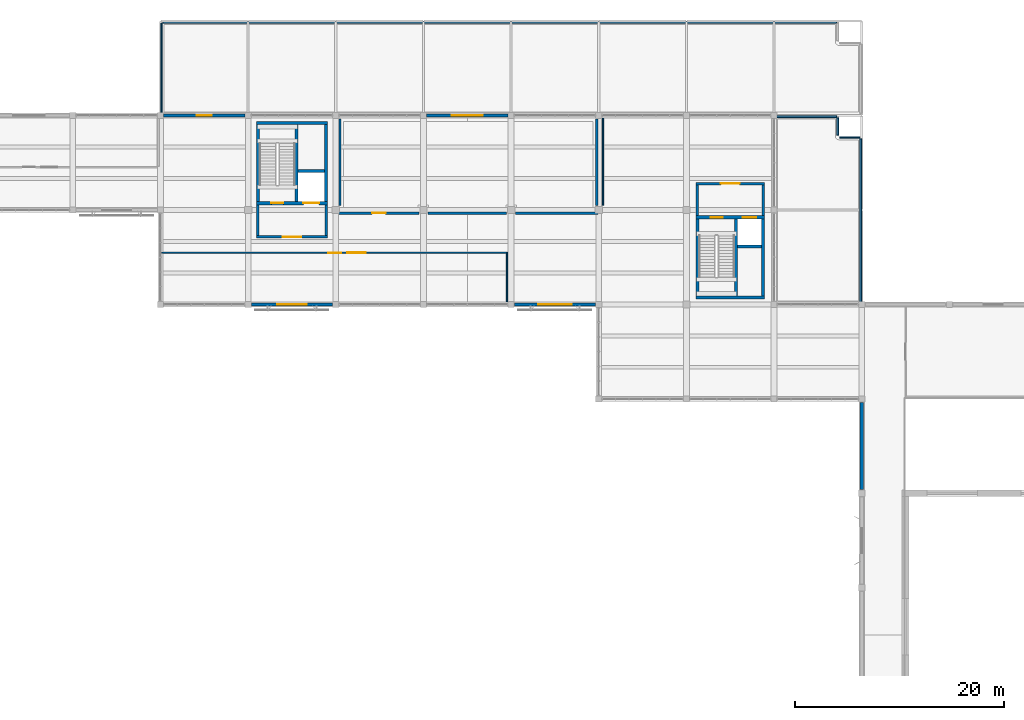
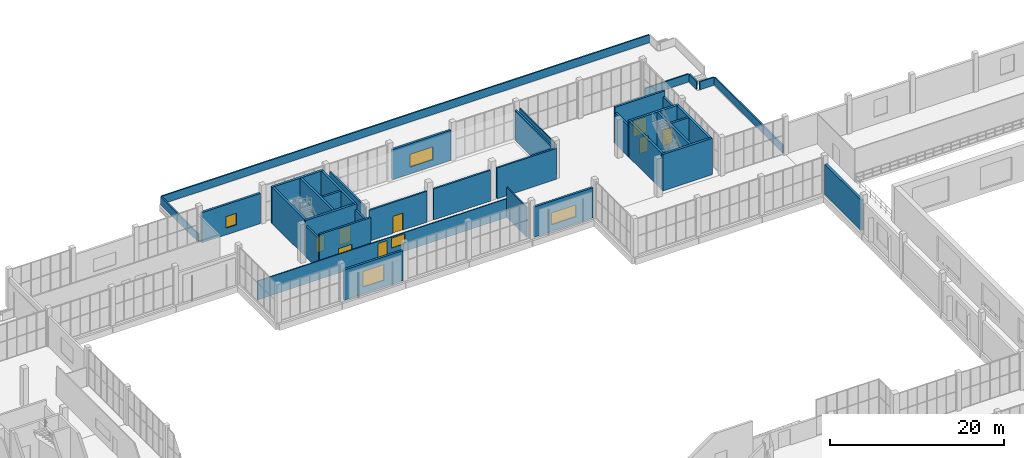
# One storey, part 116 of 132: 37 walls, 8 doors, 5 windows, 13 openings.
"""IFC4 building model written with IfcOpenShell, lengths in metres."""

from ifc_helpers import new_model, si_unit, direction, frame, frame_2d, origin, place, context, subcontext, project, spatial, rectangle, extrude, material, layer, layer_set, type_object, element, fill, save


model = new_model("IFC4")

# Units and contexts
model_context = context("Model", 3, precision=1e-05, world=origin(), true_north=direction((0.0, 1.0)))
body_context = subcontext(model_context, "Body", "Model", "MODEL_VIEW")
ifc_project = project(units=[si_unit("LENGTHUNIT", "METRE"), si_unit("AREAUNIT", "SQUARE_METRE"), si_unit("VOLUMEUNIT", "CUBIC_METRE"), si_unit("PLANEANGLEUNIT", "RADIAN"), si_unit("MASSUNIT", "GRAM", prefix="KILO")], contexts=[model_context])

# Site, building, storey
site_placement = place(None, origin())
site = spatial("IfcSite", under=ifc_project, at=site_placement, CompositionType="ELEMENT")
building_placement = place(site_placement, origin())
building = spatial("IfcBuilding", under=site, at=building_placement, Name="Khurvash Pelagic Aquarium", CompositionType="ELEMENT")
storey_placement = place(building_placement, frame((0.0, 0.0, 5.39990234375)))
storey = spatial("IfcBuildingStorey", under=building, at=storey_placement, Name="L01", CompositionType="ELEMENT", Elevation=5.39990234375)

# Wall, opening, window
ifc_material_1 = material(Name="Glass-fibre reinforced concrete C40/50", Category="concrete")
ifc_layer_1 = layer(ifc_material_1, 0.280029296875)
ifc_layer_set_1 = layer_set([ifc_layer_1], Name="Glass-fibre reinforced concrete C40/50")
wall_type_1 = type_object("IfcWallType", Name="EW-280", PredefinedType="STANDARD", material=ifc_layer_set_1)
wall_1_placement = place(storey_placement, frame((92.094970703125, 102.14990234375, 0.0), z_axis=(0.0, 0.0, 1.0), x_axis=(-1.0, 0.0, 0.0)))
wall_1 = element("IfcWall", 1, at=wall_1_placement, inside=storey, type_object=wall_type_1, Name="L01 Exterior Architectural Facade Wall EW-280 0044", PredefinedType="STANDARD", context=body_context, shape_type="SweptSolid", body=[
    extrude(rectangle(XDim=7.7900390625, YDim=0.280029296875, at=frame_2d((3.89501953125, 0.0))), origin(), (0.0, 0.0, 1.0), 4.22998046875),
])
opening_1_placement = place(wall_1_placement, frame((2.39501953125, 0.0, 0.9501953125)))
opening_1 = element("IfcOpeningElement", 2, at=opening_1_placement, cuts=wall_1, Name="Opening WN-06", PredefinedType="OPENING", context=body_context, shape_type="SweptSolid", body=[
    extrude(rectangle(XDim=3.0, YDim=1.800048828125, at=frame_2d((1.5, 0.89990234375))), frame((0.0, 0.14990234375, 0.0), z_axis=(0.0, -1.0, 0.0), x_axis=(1.0, 0.0, 0.0)), (0.0, 0.0, 1.0), 0.300048828125),
])
ifc_material_2 = material(Name="Thermally broken aluminium and low-E glass", Category="aluminium")
window_type_1 = type_object("IfcWindowType", Name="WN-06", PartitioningType="SINGLE_PANEL", PredefinedType="WINDOW", material=ifc_material_2)
window_1_placement = place(opening_1_placement, origin())
window_1 = element("IfcWindow", 3, at=window_1_placement, inside=storey, type_object=window_type_1, Name="L01 Facade Window WN-06 0024", OverallHeight=1.800048828125, OverallWidth=3.0, PartitioningType="SINGLE_PANEL", PredefinedType="WINDOW", context=body_context, shape_type="SweptSolid", body=[
    extrude(rectangle(XDim=3.0, YDim=1.800048828125, at=frame_2d((1.5, 0.89990234375))), frame((0.0, 0.030029296875, 0.0), z_axis=(0.0, -1.0, 0.0), x_axis=(1.0, 0.0, 0.0)), (0.0, 0.0, 1.0), 0.06005859375),
])
fill(opening_1, window_1)

wall_2_placement = place(storey_placement, frame((66.89501953125, 102.14990234375, 0.0), z_axis=(0.0, 0.0, 1.0), x_axis=(-1.0, 0.0, 0.0)))
wall_2 = element("IfcWall", 4, at=wall_2_placement, inside=storey, type_object=wall_type_1, Name="L01 Exterior Architectural Facade Wall EW-280 0045", PredefinedType="STANDARD", context=body_context, shape_type="SweptSolid", body=[
    extrude(rectangle(XDim=7.7900390625, YDim=0.280029296875, at=frame_2d((3.89501953125, 0.0))), origin(), (0.0, 0.0, 1.0), 4.22998046875),
])
opening_2_placement = place(wall_2_placement, frame((3.195068359375, 0.0, 0.9501953125)))
opening_2 = element("IfcOpeningElement", 5, at=opening_2_placement, cuts=wall_2, Name="Opening WN-10", PredefinedType="OPENING", context=body_context, shape_type="SweptSolid", body=[
    extrude(rectangle(XDim=1.39990234375, YDim=1.60009765625, at=frame_2d((0.699951171875, 0.800048828125))), frame((0.0, 0.14990234375, 0.0), z_axis=(0.0, -1.0, 0.0), x_axis=(1.0, 0.0, 0.0)), (0.0, 0.0, 1.0), 0.300048828125),
])
window_type_2 = type_object("IfcWindowType", Name="WN-10", PartitioningType="SINGLE_PANEL", PredefinedType="WINDOW", material=ifc_material_2)
window_2_placement = place(opening_2_placement, origin())
window_2 = element("IfcWindow", 6, at=window_2_placement, inside=storey, type_object=window_type_2, Name="L01 Facade Window WN-10 0025", OverallHeight=1.60009765625, OverallWidth=1.39990234375, PartitioningType="SINGLE_PANEL", PredefinedType="WINDOW", context=body_context, shape_type="SweptSolid", body=[
    extrude(rectangle(XDim=1.39990234375, YDim=1.60009765625, at=frame_2d((0.699951171875, 0.800048828125))), frame((0.0, 0.030029296875, 0.0), z_axis=(0.0, -1.0, 0.0), x_axis=(1.0, 0.0, 0.0)), (0.0, 0.0, 1.0), 0.06005859375),
])
fill(opening_2, window_2)

wall_3_placement = place(storey_placement, frame((67.5048828125, 84.050048828125, 0.0), z_axis=(0.0, 0.0, 1.0), x_axis=(1.0, 0.0, 0.0)))
wall_3 = element("IfcWall", 7, at=wall_3_placement, inside=storey, type_object=wall_type_1, Name="L01 Exterior Architectural Facade Wall EW-280 0054", PredefinedType="STANDARD", context=body_context, shape_type="SweptSolid", body=[
    extrude(rectangle(XDim=7.7900390625, YDim=0.280029296875, at=frame_2d((3.89501953125, 0.0))), origin(), (0.0, 0.0, 1.0), 4.22998046875),
])
opening_3_placement = place(wall_3_placement, frame((2.4951171875, 0.0, 0.9501953125)))
opening_3 = element("IfcOpeningElement", 8, at=opening_3_placement, cuts=wall_3, Name="Opening WN-14", PredefinedType="OPENING", context=body_context, shape_type="SweptSolid", body=[
    extrude(rectangle(XDim=2.800048828125, YDim=2.199951171875, at=frame_2d((1.39990234375, 1.10009765625))), frame((0.0, 0.14990234375, 0.0), z_axis=(0.0, -1.0, 0.0), x_axis=(1.0, 0.0, 0.0)), (0.0, 0.0, 1.0), 0.300048828125),
])
window_type_3 = type_object("IfcWindowType", Name="WN-14", PartitioningType="SINGLE_PANEL", PredefinedType="WINDOW", material=ifc_material_2)
window_3_placement = place(opening_3_placement, origin())
window_3 = element("IfcWindow", 9, at=window_3_placement, inside=storey, type_object=window_type_3, Name="L01 Facade Window WN-14 0034", OverallHeight=2.199951171875, OverallWidth=2.800048828125, PartitioningType="SINGLE_PANEL", PredefinedType="WINDOW", context=body_context, shape_type="SweptSolid", body=[
    extrude(rectangle(XDim=2.800048828125, YDim=2.199951171875, at=frame_2d((1.39990234375, 1.10009765625))), frame((0.0, 0.030029296875, 0.0), z_axis=(0.0, -1.0, 0.0), x_axis=(1.0, 0.0, 0.0)), (0.0, 0.0, 1.0), 0.06005859375),
])
fill(opening_3, window_3)

wall_4_placement = place(storey_placement, frame((92.705078125, 84.050048828125, 0.0), z_axis=(0.0, 0.0, 1.0), x_axis=(1.0, 0.0, 0.0)))
wall_4 = element("IfcWall", 10, at=wall_4_placement, inside=storey, type_object=wall_type_1, Name="L01 Exterior Architectural Facade Wall EW-280 0055", PredefinedType="STANDARD", context=body_context, shape_type="SweptSolid", body=[
    extrude(rectangle(XDim=7.7900390625, YDim=0.280029296875, at=frame_2d((3.89501953125, 0.0))), origin(), (0.0, 0.0, 1.0), 4.22998046875),
])
opening_4_placement = place(wall_4_placement, frame((2.294921875, 0.0, 0.9501953125)))
opening_4 = element("IfcOpeningElement", 11, at=opening_4_placement, cuts=wall_4, Name="Opening WN-18", PredefinedType="OPENING", context=body_context, shape_type="SweptSolid", body=[
    extrude(rectangle(XDim=3.199951171875, YDim=1.64990234375, at=frame_2d((1.60009765625, 0.824951171875))), frame((0.0, 0.14990234375, 0.0), z_axis=(0.0, -1.0, 0.0), x_axis=(1.0, 0.0, 0.0)), (0.0, 0.0, 1.0), 0.300048828125),
])
window_type_4 = type_object("IfcWindowType", Name="WN-18", PartitioningType="SINGLE_PANEL", PredefinedType="WINDOW", material=ifc_material_2)
window_4_placement = place(opening_4_placement, origin())
window_4 = element("IfcWindow", 12, at=window_4_placement, inside=storey, type_object=window_type_4, Name="L01 Facade Window WN-18 0035", OverallHeight=1.64990234375, OverallWidth=3.199951171875, PartitioningType="SINGLE_PANEL", PredefinedType="WINDOW", context=body_context, shape_type="SweptSolid", body=[
    extrude(rectangle(XDim=3.199951171875, YDim=1.64990234375, at=frame_2d((1.60009765625, 0.824951171875))), frame((0.0, 0.030029296875, 0.0), z_axis=(0.0, -1.0, 0.0), x_axis=(1.0, 0.0, 0.0)), (0.0, 0.0, 1.0), 0.06005859375),
])
fill(opening_4, window_4)

# Walls
ifc_material_3 = material(Name="Precast concrete C40/50", Category="concrete")
ifc_layer_2 = layer(ifc_material_3, 0.320068359375)
ifc_layer_set_2 = layer_set([ifc_layer_2], Name="Precast concrete C40/50")
wall_type_2 = type_object("IfcWallType", Name="EW-320", PredefinedType="STANDARD", material=ifc_layer_set_2)
wall_5_placement = place(storey_placement, frame((126.0, 74.639892578125, 0.0), z_axis=(0.0, 0.0, 1.0), x_axis=(0.0, -1.0, 0.0)))
element("IfcWall", 13, at=wall_5_placement, inside=storey, type_object=wall_type_2, Name="L01 Ocean Tank Hall West Courtyard Wall EW-320 B6", PredefinedType="STANDARD", context=body_context, shape_type="SweptSolid", body=[
    extrude(rectangle(XDim=8.329833984375, YDim=0.320068359375, at=frame_2d((4.1650390625, 0.0))), origin(), (0.0, 0.0, 1.0), 4.25),
])
ifc_layer_3 = layer(ifc_material_3, 0.179931640625)
ifc_layer_set_3 = layer_set([ifc_layer_3], Name="Precast concrete C40/50")
wall_type_3 = type_object("IfcWallType", Name="PP-180", PredefinedType="PARAPET", material=ifc_layer_set_3)
wall_6_placement = place(storey_placement, frame((58.89990234375, 102.35009765625, 0.0), z_axis=(0.0, 0.0, 1.0), x_axis=(0.0, 1.0, 0.0)))
element("IfcWall", 14, at=wall_6_placement, inside=storey, type_object=wall_type_3, Name="L01 Roof Perimeter Parapet Wall PP-180", PredefinedType="PARAPET", context=body_context, shape_type="SweptSolid", body=[
    extrude(rectangle(XDim=8.64990234375, YDim=0.179931640625, at=frame_2d((4.324951171875, 0.0))), origin(), (0.0, 0.0, 1.0), 1.1201171875),
])
wall_7_placement = place(storey_placement, frame((59.0, 111.10009765625, 0.0), z_axis=(0.0, 0.0, 1.0), x_axis=(1.0, 0.0, 0.0)))
element("IfcWall", 15, at=wall_7_placement, inside=storey, type_object=wall_type_3, Name="L01 Roof Perimeter Parapet Wall PP-180", PredefinedType="PARAPET", context=body_context, shape_type="SweptSolid", body=[
    extrude(rectangle(XDim=64.60009765625, YDim=0.179931640625, at=frame_2d((32.300048828125, 0.0))), origin(), (0.0, 0.0, 1.0), 1.1201171875),
])
wall_8_placement = place(storey_placement, frame((117.800048828125, 102.050048828125, 0.0), z_axis=(0.0, 0.0, 1.0), x_axis=(1.0, 0.0, 0.0)))
element("IfcWall", 16, at=wall_8_placement, inside=storey, type_object=wall_type_3, Name="L01 Roof Perimeter Parapet Wall PP-180", PredefinedType="PARAPET", context=body_context, shape_type="SweptSolid", body=[
    extrude(rectangle(XDim=5.800048828125, YDim=0.179931640625, at=frame_2d((2.89990234375, 0.0))), origin(), (0.0, 0.0, 1.0), 1.1201171875),
])
wall_9_placement = place(storey_placement, frame((123.699951171875, 101.949951171875, 0.0), z_axis=(0.0, 0.0, 1.0), x_axis=(0.0, -1.0, 0.0)))
element("IfcWall", 17, at=wall_9_placement, inside=storey, type_object=wall_type_3, Name="L01 Roof Perimeter Parapet Wall PP-180", PredefinedType="PARAPET", context=body_context, shape_type="SweptSolid", body=[
    extrude(rectangle(XDim=1.699951171875, YDim=0.179931640625, at=frame_2d((0.85009765625, 0.0))), origin(), (0.0, 0.0, 1.0), 1.1201171875),
])
wall_10_placement = place(storey_placement, frame((123.89990234375, 100.050048828125, 0.0), z_axis=(0.0, 0.0, 1.0), x_axis=(1.0, 0.0, 0.0)))
element("IfcWall", 18, at=wall_10_placement, inside=storey, type_object=wall_type_3, Name="L01 Roof Perimeter Parapet Wall PP-180", PredefinedType="PARAPET", context=body_context, shape_type="SweptSolid", body=[
    extrude(rectangle(XDim=1.900146484375, YDim=0.179931640625, at=frame_2d((0.9501953125, 0.0))), origin(), (0.0, 0.0, 1.0), 1.1201171875),
])
wall_11_placement = place(storey_placement, frame((125.89990234375, 99.949951171875, 0.0), z_axis=(0.0, 0.0, 1.0), x_axis=(0.0, -1.0, 0.0)))
element("IfcWall", 19, at=wall_11_placement, inside=storey, type_object=wall_type_3, Name="L01 Roof Perimeter Parapet Wall PP-180", PredefinedType="PARAPET", context=body_context, shape_type="SweptSolid", body=[
    extrude(rectangle(XDim=15.699951171875, YDim=0.179931640625, at=frame_2d((7.85009765625, 0.0))), origin(), (0.0, 0.0, 1.0), 1.1201171875),
])

# Wall, openings, door, window
ifc_material_4 = material(Name="Moisture-resistant gypsum and steel stud", Category="steel")
ifc_layer_4 = layer(ifc_material_4, 0.125)
ifc_layer_set_4 = layer_set([ifc_layer_4], Name="Moisture-resistant gypsum and steel stud")
wall_type_4 = type_object("IfcWallType", Name="PW-125", PredefinedType="PARTITIONING", material=ifc_layer_set_4)
wall_12_placement = place(storey_placement, frame((58.93798828125, 89.0, 0.0), z_axis=(0.0, 0.0, 1.0), x_axis=(1.0, 0.0, 0.0)))
wall_12 = element("IfcWall", 20, at=wall_12_placement, inside=storey, type_object=wall_type_4, Name="L01 Coral Propagation Quarantine Suite Partition Wall PW-125", PredefinedType="PARTITIONING", context=body_context, shape_type="SweptSolid", body=[
    extrude(rectangle(XDim=33.1240234375, YDim=0.125, at=frame_2d((16.56201171875, 0.0))), origin(), (0.0, 0.0, 1.0), 2.6220703125),
])
opening_5_placement = place(wall_12_placement, frame((15.9619140625, 0.0, 0.0)))
opening_5 = element("IfcOpeningElement", 21, at=opening_5_placement, cuts=wall_12, Name="Opening ID-41", PredefinedType="OPENING", context=body_context, shape_type="SweptSolid", body=[
    extrude(rectangle(XDim=1.199951171875, YDim=2.320068359375, at=frame_2d((0.60009765625, 1.16015625))), frame((0.0, 0.072509765625, 0.0), z_axis=(0.0, -1.0, 0.0), x_axis=(1.0, 0.0, 0.0)), (0.0, 0.0, 1.0), 0.14501953125),
])
opening_6_placement = place(wall_12_placement, frame((17.761962890625, 0.0, 1.050048828125)))
opening_6 = element("IfcOpeningElement", 22, at=opening_6_placement, cuts=wall_12, Name="Opening IW-14", PredefinedType="OPENING", context=body_context, shape_type="SweptSolid", body=[
    extrude(rectangle(XDim=1.75, YDim=1.3798828125, at=frame_2d((0.875, 0.68994140625))), frame((0.0, 0.072509765625, 0.0), z_axis=(0.0, -1.0, 0.0), x_axis=(1.0, 0.0, 0.0)), (0.0, 0.0, 1.0), 0.14501953125),
])
ifc_material_5 = material(Name="FRP coral lab door", Category="wood")
door_type_1 = type_object("IfcDoorType", Name="ID-41", OperationType="NOTDEFINED", PredefinedType="DOOR", material=ifc_material_5)
door_1_placement = place(opening_5_placement, frame((1.199951171875, 0.0, 0.0), z_axis=(0.0, 0.0, 1.0), x_axis=(-1.0, 0.0, 0.0)))
door_1 = element("IfcDoor", 23, at=door_1_placement, inside=storey, type_object=door_type_1, Name="DR-0124", OperationType="SINGLE_SWING_LEFT", OverallHeight=2.320068359375, OverallWidth=1.199951171875, PredefinedType="DOOR", context=body_context, shape_type="SweptSolid", body=[
    extrude(rectangle(XDim=1.199951171875, YDim=2.320068359375, at=frame_2d((0.60009765625, 1.16015625))), frame((0.0, 0.02490234375, 0.0), z_axis=(0.0, -1.0, 0.0), x_axis=(1.0, 0.0, 0.0)), (0.0, 0.0, 1.0), 0.050048828125),
])
fill(opening_5, door_1)
ifc_material_6 = material(Name="Acoustic laminated interior observation glazing", Category="glass")
window_type_5 = type_object("IfcWindowType", Name="IW-14", PartitioningType="SINGLE_PANEL", PredefinedType="WINDOW", material=ifc_material_6)
window_5_placement = place(opening_6_placement, origin())
window_5 = element("IfcWindow", 24, at=window_5_placement, inside=storey, type_object=window_type_5, Name="L01 Coral Propagation Quarantine Suite Observation Window IW-14", OverallHeight=1.3798828125, OverallWidth=1.75, PartitioningType="SINGLE_PANEL", PredefinedType="WINDOW", context=body_context, shape_type="SweptSolid", body=[
    extrude(rectangle(XDim=1.75, YDim=1.3798828125, at=frame_2d((0.875, 0.68994140625))), frame((0.0, 0.030029296875, 0.0), z_axis=(0.0, -1.0, 0.0), x_axis=(1.0, 0.0, 0.0)), (0.0, 0.0, 1.0), 0.06005859375),
])
fill(opening_6, window_5)

# Walls
wall_13_placement = place(storey_placement, frame((92.0, 84.31201171875, 0.0), z_axis=(0.0, 0.0, 1.0), x_axis=(0.0, 1.0, 0.0)))
element("IfcWall", 25, at=wall_13_placement, inside=storey, type_object=wall_type_4, Name="L01 Coral Propagation Quarantine Suite Partition Wall PW-125", PredefinedType="PARTITIONING", context=body_context, shape_type="SweptSolid", body=[
    extrude(rectangle(XDim=4.6259765625, YDim=0.125, at=frame_2d((2.31298828125, 0.0))), origin(), (0.0, 0.0, 1.0), 4.22998046875),
])
wall_14_placement = place(storey_placement, frame((101.199951171875, 93.5400390625, 0.0), z_axis=(0.0, 0.0, 1.0), x_axis=(0.0, 1.0, 0.0)))
element("IfcWall", 26, at=wall_14_placement, inside=storey, type_object=wall_type_4, Name="L01 Veterinary Treatment and Dive Locker Partition Wall PW-125", PredefinedType="PARTITIONING", context=body_context, shape_type="SweptSolid", body=[
    extrude(rectangle(XDim=8.347900390625, YDim=0.125, at=frame_2d((4.173828125, 0.0))), origin(), (0.0, 0.0, 1.0), 4.22998046875),
])

# Wall, opening, door
ifc_material_7 = material(Name="AAC blockwork", Category="masonry")
ifc_layer_5 = layer(ifc_material_7, 0.215087890625)
ifc_layer_set_5 = layer_set([ifc_layer_5], Name="AAC blockwork")
wall_type_5 = type_object("IfcWallType", Name="PW-215", PredefinedType="PARTITIONING", material=ifc_layer_set_5)
wall_15_placement = place(storey_placement, frame((75.89208984375, 92.800048828125, 0.0), z_axis=(0.0, 0.0, 1.0), x_axis=(1.0, 0.0, 0.0)))
wall_15 = element("IfcWall", 27, at=wall_15_placement, inside=storey, type_object=wall_type_5, Name="L01 Invertebrate Quarantine Suite Partition Wall PW-215", PredefinedType="PARTITIONING", context=body_context, shape_type="SweptSolid", body=[
    extrude(rectangle(XDim=7.66796875, YDim=0.215087890625, at=frame_2d((3.833984375, 0.0))), origin(), (0.0, 0.0, 1.0), 4.330078125),
])
opening_7_placement = place(wall_15_placement, frame((3.18408203125, 0.0, 0.0)))
opening_7 = element("IfcOpeningElement", 28, at=opening_7_placement, cuts=wall_15, Name="Opening ID-42", PredefinedType="OPENING", context=body_context, shape_type="SweptSolid", body=[
    extrude(rectangle(XDim=1.300048828125, YDim=2.3798828125, at=frame_2d((0.64990234375, 1.18994140625))), frame((0.0, 0.11767578125, 0.0), z_axis=(0.0, -1.0, 0.0), x_axis=(1.0, 0.0, 0.0)), (0.0, 0.0, 1.0), 0.235107421875),
])
ifc_material_8 = material(Name="FRP necropsy lab door", Category="wood")
door_type_2 = type_object("IfcDoorType", Name="ID-42", OperationType="NOTDEFINED", PredefinedType="DOOR", material=ifc_material_8)
door_2_placement = place(opening_7_placement, origin())
door_2 = element("IfcDoor", 29, at=door_2_placement, inside=storey, type_object=door_type_2, Name="DR-0125", OperationType="SINGLE_SWING_RIGHT", OverallHeight=2.3798828125, OverallWidth=1.300048828125, PredefinedType="DOOR", context=body_context, shape_type="SweptSolid", body=[
    extrude(rectangle(XDim=1.300048828125, YDim=2.3798828125, at=frame_2d((0.64990234375, 1.18994140625))), frame((0.0, 0.02490234375, 0.0), z_axis=(0.0, -1.0, 0.0), x_axis=(1.0, 0.0, 0.0)), (0.0, 0.0, 1.0), 0.050048828125),
])
fill(opening_7, door_2)

# Walls
wall_16_placement = place(storey_placement, frame((84.43994140625, 92.800048828125, 0.0), z_axis=(0.0, 0.0, 1.0), x_axis=(1.0, 0.0, 0.0)))
element("IfcWall", 30, at=wall_16_placement, inside=storey, type_object=wall_type_5, Name="L01 Invertebrate Quarantine Suite Partition Wall PW-215", PredefinedType="PARTITIONING", context=body_context, shape_type="SweptSolid", body=[
    extrude(rectangle(XDim=7.52001953125, YDim=0.215087890625, at=frame_2d((3.760009765625, 0.0))), origin(), (0.0, 0.0, 1.0), 4.330078125),
])
wall_17_placement = place(storey_placement, frame((92.840087890625, 92.800048828125, 0.0), z_axis=(0.0, 0.0, 1.0), x_axis=(1.0, 0.0, 0.0)))
element("IfcWall", 31, at=wall_17_placement, inside=storey, type_object=wall_type_5, Name="L01 Invertebrate Quarantine Suite Partition Wall PW-215", PredefinedType="PARTITIONING", context=body_context, shape_type="SweptSolid", body=[
    extrude(rectangle(XDim=7.866943359375, YDim=0.215087890625, at=frame_2d((3.93359375, 0.0))), origin(), (0.0, 0.0, 1.0), 4.330078125),
])
for number, where, z_axis, x_axis, name in (
    (32, (100.60009765625, 93.5400390625, 0.0), (0.0, 0.0, 1.0), (0.0, 1.0, 0.0), "L01 Invertebrate Quarantine Suite Partition Wall PW-215"),
    (33, (76.0, 93.5400390625, 0.0), (0.0, 0.0, 1.0), (0.0, 1.0, 0.0), "L01 Invertebrate Quarantine Suite Partition Wall PW-215"),
):
    element("IfcWall", number, at=place(storey_placement, frame(where, z_axis=z_axis, x_axis=x_axis)), inside=storey, type_object=wall_type_5, Name=name, PredefinedType="PARTITIONING", context=body_context, shape_type="SweptSolid", body=[
        extrude(rectangle(XDim=8.302978515625, YDim=0.215087890625, at=frame_2d((4.1513671875, 0.0))), origin(), (0.0, 0.0, 1.0), 4.22998046875),
    ])

# Wall, opening, door
ifc_layer_6 = layer(ifc_material_7, 0.25)
ifc_layer_set_6 = layer_set([ifc_layer_6], Name="AAC blockwork")
wall_type_6 = type_object("IfcWallType", Name="PW-250", PredefinedType="PARTITIONING", material=ifc_layer_set_6)
wall_18_placement = place(storey_placement, frame((68.0, 90.52490234375, 0.0), z_axis=(0.0, 0.0, 1.0), x_axis=(1.0, 0.0, 0.0)))
wall_18 = element("IfcWall", 34, at=wall_18_placement, inside=storey, type_object=wall_type_6, Name="L01 Core C4 Lobby Front Fire Wall PW-250", PredefinedType="PARTITIONING", context=body_context, shape_type="SweptSolid", body=[
    extrude(rectangle(XDim=6.800048828125, YDim=0.25, at=frame_2d((3.39990234375, 0.0))), origin(), (0.0, 0.0, 1.0), 5.10009765625),
])
opening_8_placement = place(wall_18_placement, frame((2.5, 0.0, 0.0)))
opening_8 = element("IfcOpeningElement", 35, at=opening_8_placement, cuts=wall_18, Name="Opening FD-02", PredefinedType="OPENING", context=body_context, shape_type="SweptSolid", body=[
    extrude(rectangle(XDim=1.800048828125, YDim=2.25, at=frame_2d((0.89990234375, 1.125))), frame((0.0, 0.135009765625, 0.0), z_axis=(0.0, -1.0, 0.0), x_axis=(1.0, 0.0, 0.0)), (0.0, 0.0, 1.0), 0.27001953125),
])
ifc_material_9 = material(Name="Galvanised steel double fire door", Category="steel")
door_type_3 = type_object("IfcDoorType", Name="FD-02", OperationType="DOUBLE_DOOR_SINGLE_SWING", PredefinedType="DOOR", material=ifc_material_9)
door_3_placement = place(opening_8_placement, frame((1.800048828125, 0.0, 0.0), z_axis=(0.0, 0.0, 1.0), x_axis=(-1.0, 0.0, 0.0)))
door_3 = element("IfcDoor", 36, at=door_3_placement, inside=storey, type_object=door_type_3, Name="DR-0129", OperationType="DOUBLE_DOOR_SINGLE_SWING", OverallHeight=2.25, OverallWidth=1.800048828125, PredefinedType="DOOR", context=body_context, shape_type="SweptSolid", body=[
    extrude(rectangle(XDim=1.800048828125, YDim=2.25, at=frame_2d((0.89990234375, 1.125))), frame((0.0, 0.02490234375, 0.0), z_axis=(0.0, -1.0, 0.0), x_axis=(1.0, 0.0, 0.0)), (0.0, 0.0, 1.0), 0.050048828125),
])
fill(opening_8, door_3)

# Walls
for number, where, z_axis, x_axis, name in (
    (37, (68.125, 90.64990234375, 0.0), (0.0, 0.0, 1.0), (0.0, 1.0, 0.0), "L01 Core C4 Lobby West Fire Wall PW-250"),
    (38, (74.675048828125, 90.64990234375, 0.0), (0.0, 0.0, 1.0), (0.0, 1.0, 0.0), "L01 Core C4 Lobby East Fire Wall PW-250"),
):
    element("IfcWall", number, at=place(storey_placement, frame(where, z_axis=z_axis, x_axis=x_axis)), inside=storey, type_object=wall_type_6, Name=name, PredefinedType="PARTITIONING", context=body_context, shape_type="SweptSolid", body=[
        extrude(rectangle(XDim=2.9501953125, YDim=0.25, at=frame_2d((1.47509765625, 0.0))), origin(), (0.0, 0.0, 1.0), 4.330078125),
    ])

# Wall, opening, door
wall_19_placement = place(storey_placement, frame((110.10009765625, 95.625, 0.0), z_axis=(0.0, 0.0, 1.0), x_axis=(1.0, 0.0, 0.0)))
wall_19 = element("IfcWall", 39, at=wall_19_placement, inside=storey, type_object=wall_type_6, Name="L01 Core C6 Lobby Front Fire Wall PW-250", PredefinedType="PARTITIONING", context=body_context, shape_type="SweptSolid", body=[
    extrude(rectangle(XDim=6.599853515625, YDim=0.25, at=frame_2d((3.2998046875, 0.0))), origin(), (0.0, 0.0, 1.0), 5.10009765625),
])
opening_9_placement = place(wall_19_placement, frame((2.39990234375, 0.0, 0.0)))
opening_9 = element("IfcOpeningElement", 40, at=opening_9_placement, cuts=wall_19, Name="Opening FD-02", PredefinedType="OPENING", context=body_context, shape_type="SweptSolid", body=[
    extrude(rectangle(XDim=1.800048828125, YDim=2.25, at=frame_2d((0.89990234375, 1.125))), frame((0.0, 0.135009765625, 0.0), z_axis=(0.0, -1.0, 0.0), x_axis=(1.0, 0.0, 0.0)), (0.0, 0.0, 1.0), 0.27001953125),
])
door_4_placement = place(opening_9_placement, origin())
door_4 = element("IfcDoor", 41, at=door_4_placement, inside=storey, type_object=door_type_3, Name="DR-0131", OperationType="DOUBLE_DOOR_SINGLE_SWING", OverallHeight=2.25, OverallWidth=1.800048828125, PredefinedType="DOOR", context=body_context, shape_type="SweptSolid", body=[
    extrude(rectangle(XDim=1.800048828125, YDim=2.25, at=frame_2d((0.89990234375, 1.125))), frame((0.0, 0.02490234375, 0.0), z_axis=(0.0, -1.0, 0.0), x_axis=(1.0, 0.0, 0.0)), (0.0, 0.0, 1.0), 0.050048828125),
])
fill(opening_9, door_4)

# Walls
for number, where, z_axis, x_axis, name in (
    (42, (110.22509765625, 92.550048828125, 0.0), (0.0, 0.0, 1.0), (0.0, 1.0, 0.0), "L01 Core C6 Lobby West Fire Wall PW-250"),
    (43, (116.574951171875, 92.550048828125, 0.0), (0.0, 0.0, 1.0), (0.0, 1.0, 0.0), "L01 Core C6 Lobby East Fire Wall PW-250"),
):
    element("IfcWall", number, at=place(storey_placement, frame(where, z_axis=z_axis, x_axis=x_axis)), inside=storey, type_object=wall_type_6, Name=name, PredefinedType="PARTITIONING", context=body_context, shape_type="SweptSolid", body=[
        extrude(rectangle(XDim=2.949951171875, YDim=0.25, at=frame_2d((1.47509765625, 0.0))), origin(), (0.0, 0.0, 1.0), 4.330078125),
    ])
ifc_material_10 = material(Name="Concrete C40/50", Category="concrete")
ifc_layer_7 = layer(ifc_material_10, 0.27490234375)
ifc_layer_set_7 = layer_set([ifc_layer_7], Name="Concrete C40/50")
wall_type_7 = type_object("IfcWallType", Name="SW-275", PredefinedType="SHEAR", material=ifc_layer_set_7)
wall_20_placement = place(storey_placement, frame((72.0, 96.837890625, 0.0), z_axis=(0.0, 0.0, 1.0), x_axis=(1.0, 0.0, 0.0)))
element("IfcWall", 44, at=wall_20_placement, inside=storey, type_object=wall_type_7, Name="L01 Lift GL-01 Shaft Rear Shear Wall SW-275", PredefinedType="SHEAR", context=body_context, shape_type="SweptSolid", body=[
    extrude(rectangle(XDim=2.5, YDim=0.27490234375, at=frame_2d((1.25, 0.0))), origin(), (0.0, 0.0, 1.0), 5.10009765625),
])
wall_21_placement = place(storey_placement, frame((114.10009765625, 89.612060546875, 0.0), z_axis=(0.0, 0.0, 1.0), x_axis=(1.0, 0.0, 0.0)))
element("IfcWall", 45, at=wall_21_placement, inside=storey, type_object=wall_type_7, Name="L01 Lift PL-03 Shaft Rear Shear Wall SW-275", PredefinedType="SHEAR", context=body_context, shape_type="SweptSolid", body=[
    extrude(rectangle(XDim=2.2998046875, YDim=0.27490234375, at=frame_2d((1.14990234375, 0.0))), origin(), (0.0, 0.0, 1.0), 5.10009765625),
])

# Wall, openings, doors
ifc_layer_8 = layer(ifc_material_10, 0.300048828125)
ifc_layer_set_8 = layer_set([ifc_layer_8], Name="Concrete C40/50")
wall_type_8 = type_object("IfcWallType", Name="SW-300", PredefinedType="SHEAR", material=ifc_layer_set_8)
wall_22_placement = place(storey_placement, frame((68.0, 93.75, 0.0), z_axis=(0.0, 0.0, 1.0), x_axis=(1.0, 0.0, 0.0)))
wall_22 = element("IfcWall", 46, at=wall_22_placement, inside=storey, type_object=wall_type_8, Name="L01 Core C4 South Shear Wall SW-300", PredefinedType="SHEAR", context=body_context, shape_type="SweptSolid", body=[
    extrude(rectangle(XDim=6.800048828125, YDim=0.300048828125, at=frame_2d((3.39990234375, 0.0))), origin(), (0.0, 0.0, 1.0), 5.10009765625),
])
opening_10_placement = place(wall_22_placement, frame((1.425048828125, 0.0, 0.0)))
opening_10 = element("IfcOpeningElement", 47, at=opening_10_placement, cuts=wall_22, Name="Opening FD-01", PredefinedType="OPENING", context=body_context, shape_type="SweptSolid", body=[
    extrude(rectangle(XDim=1.14990234375, YDim=2.199951171875, at=frame_2d((0.574951171875, 1.10009765625))), frame((0.0, 0.16015625, 0.0), z_axis=(0.0, -1.0, 0.0), x_axis=(1.0, 0.0, 0.0)), (0.0, 0.0, 1.0), 0.320068359375),
])
opening_11_placement = place(wall_22_placement, frame((4.5, 0.0, 0.0)))
opening_11 = element("IfcOpeningElement", 48, at=opening_11_placement, cuts=wall_22, Name="Opening LD-03", PredefinedType="OPENING", context=body_context, shape_type="SweptSolid", body=[
    extrude(rectangle(XDim=1.5, YDim=2.300048828125, at=frame_2d((0.75, 1.14990234375))), frame((0.0, 0.16015625, 0.0), z_axis=(0.0, -1.0, 0.0), x_axis=(1.0, 0.0, 0.0)), (0.0, 0.0, 1.0), 0.320068359375),
])
ifc_material_11 = material(Name="Galvanised steel fire door", Category="steel")
door_type_4 = type_object("IfcDoorType", Name="FD-01", OperationType="NOTDEFINED", PredefinedType="DOOR", material=ifc_material_11)
door_5_placement = place(opening_10_placement, origin())
door_5 = element("IfcDoor", 49, at=door_5_placement, inside=storey, type_object=door_type_4, Name="DR-0093", OperationType="SINGLE_SWING_LEFT", OverallHeight=2.199951171875, OverallWidth=1.14990234375, PredefinedType="DOOR", context=body_context, shape_type="SweptSolid", body=[
    extrude(rectangle(XDim=1.14990234375, YDim=2.199951171875, at=frame_2d((0.574951171875, 1.10009765625))), frame((0.0, 0.02490234375, 0.0), z_axis=(0.0, -1.0, 0.0), x_axis=(1.0, 0.0, 0.0)), (0.0, 0.0, 1.0), 0.050048828125),
])
fill(opening_10, door_5)
ifc_material_12 = material(Name="Brushed stainless steel 316 goods lift landing door", Category="steel")
door_type_5 = type_object("IfcDoorType", Name="LD-03", OperationType="DOUBLE_DOOR_SLIDING", PredefinedType="DOOR", material=ifc_material_12)
door_6_placement = place(opening_11_placement, origin())
door_6 = element("IfcDoor", 50, at=door_6_placement, inside=storey, type_object=door_type_5, Name="DR-0099", OperationType="DOUBLE_DOOR_SLIDING", OverallHeight=2.300048828125, OverallWidth=1.5, PredefinedType="DOOR", context=body_context, shape_type="SweptSolid", body=[
    extrude(rectangle(XDim=1.5, YDim=2.300048828125, at=frame_2d((0.75, 1.14990234375))), frame((0.0, 0.02490234375, 0.0), z_axis=(0.0, -1.0, 0.0), x_axis=(1.0, 0.0, 0.0)), (0.0, 0.0, 1.0), 0.050048828125),
])
fill(opening_11, door_6)

# Walls
wall_23_placement = place(storey_placement, frame((68.0, 101.449951171875, 0.0), z_axis=(0.0, 0.0, 1.0), x_axis=(1.0, 0.0, 0.0)))
element("IfcWall", 51, at=wall_23_placement, inside=storey, type_object=wall_type_8, Name="L01 Core C4 North Shear Wall SW-300", PredefinedType="SHEAR", context=body_context, shape_type="SweptSolid", body=[
    extrude(rectangle(XDim=6.800048828125, YDim=0.300048828125, at=frame_2d((3.39990234375, 0.0))), origin(), (0.0, 0.0, 1.0), 5.10009765625),
])
for number, where, z_axis, x_axis, name in (
    (52, (68.14990234375, 93.89990234375, 0.0), (0.0, 0.0, 1.0), (0.0, 1.0, 0.0), "L01 Core C4 West Shear Wall SW-300"),
    (53, (74.64990234375, 93.89990234375, 0.0), (0.0, 0.0, 1.0), (0.0, 1.0, 0.0), "L01 Core C4 East Shear Wall SW-300"),
    (54, (71.85009765625, 93.89990234375, 0.0), (0.0, 0.0, 1.0), (0.0, 1.0, 0.0), "L01 Core C4 Divider Shear Wall SW-300"),
):
    element("IfcWall", number, at=place(storey_placement, frame(where, z_axis=z_axis, x_axis=x_axis)), inside=storey, type_object=wall_type_8, Name=name, PredefinedType="SHEAR", context=body_context, shape_type="SweptSolid", body=[
        extrude(rectangle(XDim=7.400146484375, YDim=0.300048828125, at=frame_2d((3.7001953125, 0.0))), origin(), (0.0, 0.0, 1.0), 5.10009765625),
    ])
wall_24_placement = place(storey_placement, frame((110.10009765625, 84.699951171875, 0.0), z_axis=(0.0, 0.0, 1.0), x_axis=(1.0, 0.0, 0.0)))
element("IfcWall", 55, at=wall_24_placement, inside=storey, type_object=wall_type_8, Name="L01 Core C6 South Shear Wall SW-300", PredefinedType="SHEAR", context=body_context, shape_type="SweptSolid", body=[
    extrude(rectangle(XDim=6.599853515625, YDim=0.300048828125, at=frame_2d((3.2998046875, 0.0))), origin(), (0.0, 0.0, 1.0), 5.10009765625),
])

# Wall, openings, doors
wall_25_placement = place(storey_placement, frame((110.10009765625, 92.39990234375, 0.0), z_axis=(0.0, 0.0, 1.0), x_axis=(1.0, 0.0, 0.0)))
wall_25 = element("IfcWall", 56, at=wall_25_placement, inside=storey, type_object=wall_type_8, Name="L01 Core C6 North Shear Wall SW-300", PredefinedType="SHEAR", context=body_context, shape_type="SweptSolid", body=[
    extrude(rectangle(XDim=6.599853515625, YDim=0.300048828125, at=frame_2d((3.2998046875, 0.0))), origin(), (0.0, 0.0, 1.0), 5.10009765625),
])
opening_12_placement = place(wall_25_placement, frame((1.425048828125, 0.0, 0.0)))
opening_12 = element("IfcOpeningElement", 57, at=opening_12_placement, cuts=wall_25, Name="Opening FD-01", PredefinedType="OPENING", context=body_context, shape_type="SweptSolid", body=[
    extrude(rectangle(XDim=1.14990234375, YDim=2.199951171875, at=frame_2d((0.574951171875, 1.10009765625))), frame((0.0, 0.16015625, 0.0), z_axis=(0.0, -1.0, 0.0), x_axis=(1.0, 0.0, 0.0)), (0.0, 0.0, 1.0), 0.320068359375),
])
opening_13_placement = place(wall_25_placement, frame((4.5, 0.0, 0.0)))
opening_13 = element("IfcOpeningElement", 58, at=opening_13_placement, cuts=wall_25, Name="Opening LD-02", PredefinedType="OPENING", context=body_context, shape_type="SweptSolid", body=[
    extrude(rectangle(XDim=1.300048828125, YDim=2.199951171875, at=frame_2d((0.64990234375, 1.10009765625))), frame((0.0, 0.16015625, 0.0), z_axis=(0.0, -1.0, 0.0), x_axis=(1.0, 0.0, 0.0)), (0.0, 0.0, 1.0), 0.320068359375),
])
door_7_placement = place(opening_12_placement, frame((1.14990234375, 0.0, 0.0), z_axis=(0.0, 0.0, 1.0), x_axis=(-1.0, 0.0, 0.0)))
door_7 = element("IfcDoor", 59, at=door_7_placement, inside=storey, type_object=door_type_4, Name="DR-0095", OperationType="SINGLE_SWING_RIGHT", OverallHeight=2.199951171875, OverallWidth=1.14990234375, PredefinedType="DOOR", context=body_context, shape_type="SweptSolid", body=[
    extrude(rectangle(XDim=1.14990234375, YDim=2.199951171875, at=frame_2d((0.574951171875, 1.10009765625))), frame((0.0, 0.02490234375, 0.0), z_axis=(0.0, -1.0, 0.0), x_axis=(1.0, 0.0, 0.0)), (0.0, 0.0, 1.0), 0.050048828125),
])
fill(opening_12, door_7)
ifc_material_13 = material(Name="Brushed stainless steel 316 lift landing door", Category="steel")
door_type_6 = type_object("IfcDoorType", Name="LD-02", OperationType="DOUBLE_DOOR_SLIDING", PredefinedType="DOOR", material=ifc_material_13)
door_8_placement = place(opening_13_placement, origin())
door_8 = element("IfcDoor", 60, at=door_8_placement, inside=storey, type_object=door_type_6, Name="DR-0101", OperationType="DOUBLE_DOOR_SLIDING", OverallHeight=2.199951171875, OverallWidth=1.300048828125, PredefinedType="DOOR", context=body_context, shape_type="SweptSolid", body=[
    extrude(rectangle(XDim=1.300048828125, YDim=2.199951171875, at=frame_2d((0.64990234375, 1.10009765625))), frame((0.0, 0.02490234375, 0.0), z_axis=(0.0, -1.0, 0.0), x_axis=(1.0, 0.0, 0.0)), (0.0, 0.0, 1.0), 0.050048828125),
])
fill(opening_13, door_8)

# Walls
for number, where, z_axis, x_axis, name in (
    (61, (110.25, 84.85009765625, 0.0), (0.0, 0.0, 1.0), (0.0, 1.0, 0.0), "L01 Core C6 West Shear Wall SW-300"),
    (62, (116.550048828125, 84.85009765625, 0.0), (0.0, 0.0, 1.0), (0.0, 1.0, 0.0), "L01 Core C6 East Shear Wall SW-300"),
    (63, (113.949951171875, 84.85009765625, 0.0), (0.0, 0.0, 1.0), (0.0, 1.0, 0.0), "L01 Core C6 Divider Shear Wall SW-300"),
):
    element("IfcWall", number, at=place(storey_placement, frame(where, z_axis=z_axis, x_axis=x_axis)), inside=storey, type_object=wall_type_8, Name=name, PredefinedType="SHEAR", context=body_context, shape_type="SweptSolid", body=[
        extrude(rectangle(XDim=7.39990234375, YDim=0.300048828125, at=frame_2d((3.699951171875, 0.0))), origin(), (0.0, 0.0, 1.0), 5.10009765625),
    ])

save(model, "model.ifc")
